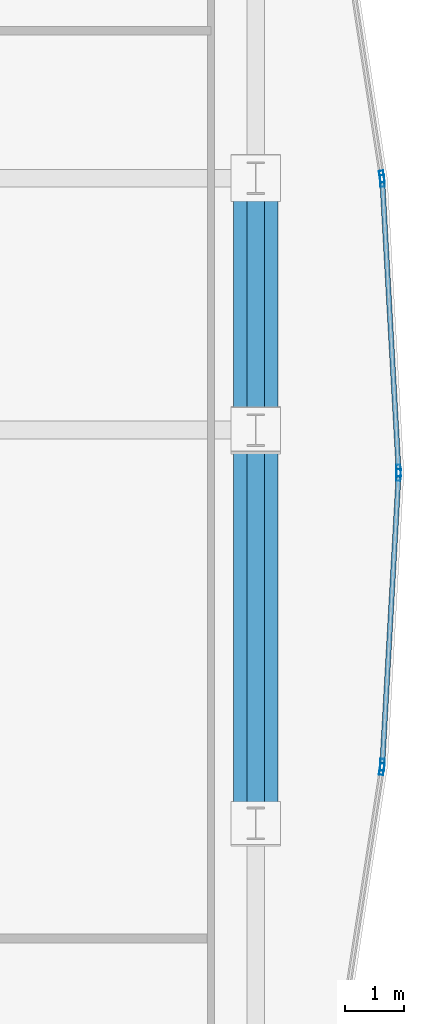
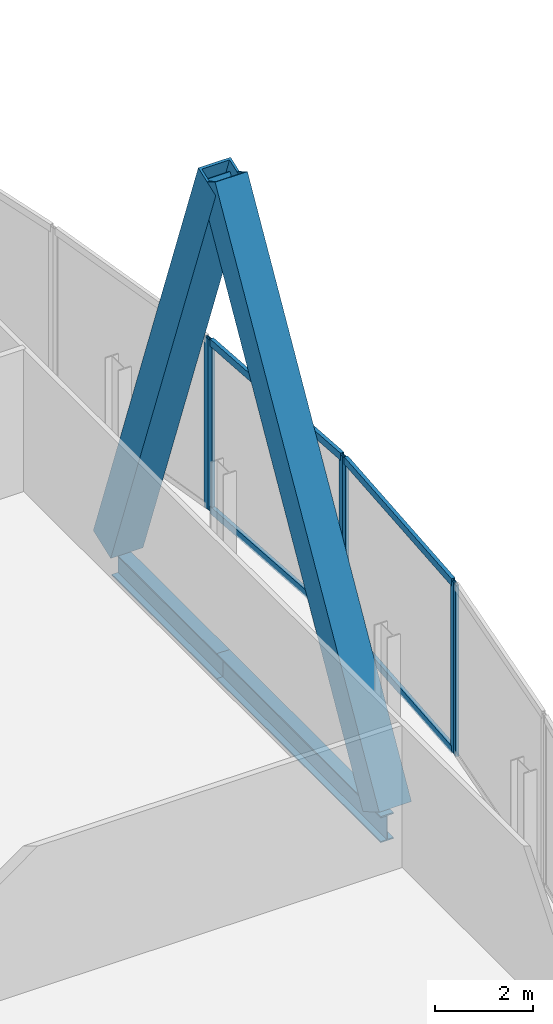
# One storey, part 23 of 32: 12 members, 2 beams, 4 elements without a shape of their own.
"""IFC4 building model written with IfcOpenShell, lengths in metres."""

from ifc_helpers import new_model, si_unit, direction, frame, origin, origin_2d, place, context, subcontext, project, spatial, hollow_rectangle, i_section, extrude, material, material_profile, profile_set, type_object, element, aggregate, save


model = new_model("IFC4")

# Units and contexts
model_context = context("Model", 3, precision=1e-05, world=origin(), true_north=direction((0.0, 1.0)))
body_context = subcontext(model_context, "Body", "Model", "MODEL_VIEW")
ifc_project = project(units=[si_unit("LENGTHUNIT", "METRE"), si_unit("AREAUNIT", "SQUARE_METRE"), si_unit("VOLUMEUNIT", "CUBIC_METRE"), si_unit("PLANEANGLEUNIT", "RADIAN"), si_unit("MASSUNIT", "GRAM", prefix="KILO")], contexts=[model_context])

# Site, building, storey
site_placement = place(None, origin())
site = spatial("IfcSite", under=ifc_project, at=site_placement, CompositionType="ELEMENT")
building_placement = place(site_placement, origin())
building = spatial("IfcBuilding", under=site, at=building_placement, Name="Khoronbel Lancet Exchange", CompositionType="ELEMENT")
storey_placement = place(building_placement, frame((0.0, 0.0, 106.60009765625)))
storey = spatial("IfcBuildingStorey", under=building, at=storey_placement, Name="L25", CompositionType="ELEMENT", Elevation=106.60009765625)

# Beams
ifc_material_1 = material(Name="Steel S355", Category="steel")
ifc_material_profile_1 = material_profile(ifc_material_1, i_section(OverallWidth=0.300048828125, OverallDepth=0.64990234375, WebThickness=0.01611328125, FlangeThickness=0.031005859375, at=origin_2d()), Name="HEB 650")
ifc_profile_set_1 = profile_set([ifc_material_profile_1], Name="Steel S355")
beam_type = type_object("IfcBeamType", Name="BM-BSP1", PredefinedType="SPANDREL", material=ifc_profile_set_1)
beam_1_placement = place(storey_placement, frame((69.6298828125, 24.75, -0.525146484375), z_axis=(0.0, 1.0, 0.0), x_axis=(-1.0, 0.0, 0.0)))
element("IfcBeam", 1, at=beam_1_placement, inside=storey, type_object=beam_type, Name="Level L25 perimeter spandrel beam SP12", PredefinedType="SPANDREL", context=body_context, shape_type="SweptSolid", body=[
    extrude(i_section(OverallWidth=0.300048828125, OverallDepth=0.64990234375, WebThickness=0.01611328125, FlangeThickness=0.031005859375, at=origin_2d()), origin(), (0.0, 0.0, 1.0), 6.675048828125),
])
beam_2_placement = place(storey_placement, frame((69.6298828125, 31.425048828125, -0.525146484375), z_axis=(0.0, 1.0, 0.0), x_axis=(-1.0, 0.0, 0.0)))
element("IfcBeam", 2, at=beam_2_placement, inside=storey, type_object=beam_type, Name="Level L25 perimeter spandrel beam SP13", PredefinedType="SPANDREL", context=body_context, shape_type="SweptSolid", body=[
    extrude(i_section(OverallWidth=0.300048828125, OverallDepth=0.64990234375, WebThickness=0.01611328125, FlangeThickness=0.031005859375, at=origin_2d()), origin(), (0.0, 0.0, 1.0), 4.27490234375),
])

# Curtain wall, member
ifc_material_2 = material(Name="Low-E Solar Control Insulating Glass", Category="glass")
curtain_wall_type = type_object("IfcCurtainWallType", Name="CW-4", PredefinedType="NOTDEFINED", material=ifc_material_2)
curtain_wall_1_placement = place(storey_placement, origin())
curtain_wall_1 = element("IfcCurtainWall", 3, at=curtain_wall_1_placement, inside=storey, type_object=curtain_wall_type, Name="Unitised curtain wall CW-L25-E18", PredefinedType="NOTDEFINED")
ifc_material_3 = material(Name="Bronze-Anodised Aluminium 6063-T6", Category="aluminium")
ifc_material_profile_2 = material_profile(ifc_material_3, hollow_rectangle(XDim=0.074951171875, YDim=0.199951171875, WallThickness=0.0048828125, at=origin_2d()), Name="ALU MULLION 75x200")
ifc_profile_set_2 = profile_set([ifc_material_profile_2], Name="Bronze-Anodised Aluminium 6063-T6")
member_type_1 = type_object("IfcMemberType", Name="MEM-CWM2", PredefinedType="MULLION", material=ifc_profile_set_2)
member_1_placement = place(storey_placement, frame((71.77001953125, 35.727783203125, 0.0), z_axis=(0.0, 0.0, 1.0), x_axis=(0.988428154064, 0.151689763181, 0.0)))
member_1 = element("IfcMember", 4, at=member_1_placement, type_object=member_type_1, Name="CW4 mullion 2", PredefinedType="MULLION", context=body_context, shape_type="SweptSolid", body=[
    extrude(hollow_rectangle(XDim=0.074951171875, YDim=0.199951171875, WallThickness=0.0048828125, at=origin_2d()), origin(), (0.0, 0.0, 1.0), 4.239990234375),
])
aggregate(curtain_wall_1, [member_1])

# Curtain wall, members
curtain_wall_2_placement = place(storey_placement, origin())
curtain_wall_2 = element("IfcCurtainWall", 5, at=curtain_wall_2_placement, inside=storey, type_object=curtain_wall_type, Name="Unitised curtain wall CW-L25-E19", PredefinedType="NOTDEFINED")
member_2_placement = place(storey_placement, frame((71.77783203125, 35.653076171875, 0.0), z_axis=(0.0, 0.0, 1.0), x_axis=(0.998426435144, 0.056077211104, 0.0)))
member_2 = element("IfcMember", 6, at=member_2_placement, type_object=member_type_1, Name="CW4 mullion 1", PredefinedType="MULLION", context=body_context, shape_type="SweptSolid", body=[
    extrude(hollow_rectangle(XDim=0.074951171875, YDim=0.199951171875, WallThickness=0.0048828125, at=origin_2d()), origin(), (0.0, 0.0, 1.0), 4.239990234375),
])
member_3_placement = place(storey_placement, frame((72.053955078125, 30.737548828125, 0.0), z_axis=(0.0, 0.0, 1.0), x_axis=(0.998426435144, 0.056077211104, 0.0)))
member_3 = element("IfcMember", 7, at=member_3_placement, type_object=member_type_1, Name="CW4 mullion 2", PredefinedType="MULLION", context=body_context, shape_type="SweptSolid", body=[
    extrude(hollow_rectangle(XDim=0.074951171875, YDim=0.199951171875, WallThickness=0.0048828125, at=origin_2d()), origin(), (0.0, 0.0, 1.0), 4.239990234375),
])

curtain_wall_3_placement = place(storey_placement, origin())
curtain_wall_3 = element("IfcCurtainWall", 8, at=curtain_wall_3_placement, inside=storey, type_object=curtain_wall_type, Name="Unitised curtain wall CW-L25-E20", PredefinedType="NOTDEFINED")
member_4_placement = place(storey_placement, frame((72.053955078125, 30.66259765625, 0.0), z_axis=(0.0, 0.0, 1.0), x_axis=(0.998426435144, -0.056077211104, 0.0)))
member_4 = element("IfcMember", 9, at=member_4_placement, type_object=member_type_1, Name="CW4 mullion 1", PredefinedType="MULLION", context=body_context, shape_type="SweptSolid", body=[
    extrude(hollow_rectangle(XDim=0.074951171875, YDim=0.199951171875, WallThickness=0.0048828125, at=origin_2d()), origin(), (0.0, 0.0, 1.0), 4.239990234375),
])
member_5_placement = place(storey_placement, frame((71.77783203125, 25.746826171875, 0.0), z_axis=(0.0, 0.0, 1.0), x_axis=(0.998426435144, -0.056077211104, 0.0)))
member_5 = element("IfcMember", 10, at=member_5_placement, type_object=member_type_1, Name="CW4 mullion 2", PredefinedType="MULLION", context=body_context, shape_type="SweptSolid", body=[
    extrude(hollow_rectangle(XDim=0.074951171875, YDim=0.199951171875, WallThickness=0.0048828125, at=origin_2d()), origin(), (0.0, 0.0, 1.0), 4.239990234375),
])

# Curtain wall, member
curtain_wall_4_placement = place(storey_placement, origin())
curtain_wall_4 = element("IfcCurtainWall", 11, at=curtain_wall_4_placement, inside=storey, type_object=curtain_wall_type, Name="Unitised curtain wall CW-L25-E21", PredefinedType="NOTDEFINED")
member_6_placement = place(storey_placement, frame((71.77001953125, 25.67236328125, 0.0), z_axis=(0.0, 0.0, 1.0), x_axis=(0.988428154064, -0.151689763181, 0.0)))
member_6 = element("IfcMember", 12, at=member_6_placement, type_object=member_type_1, Name="CW4 mullion 1", PredefinedType="MULLION", context=body_context, shape_type="SweptSolid", body=[
    extrude(hollow_rectangle(XDim=0.074951171875, YDim=0.199951171875, WallThickness=0.0048828125, at=origin_2d()), origin(), (0.0, 0.0, 1.0), 4.239990234375),
])
aggregate(curtain_wall_4, [member_6])

# Member
ifc_material_profile_3 = material_profile(ifc_material_3, hollow_rectangle(XDim=0.0849609375, YDim=0.179931640625, WallThickness=0.0048828125, at=origin_2d()), Name="ALU TRANSOM 85x180")
ifc_profile_set_3 = profile_set([ifc_material_profile_3], Name="Bronze-Anodised Aluminium 6063-T6")
member_type_2 = type_object("IfcMemberType", Name="MEM-CWT1", PredefinedType="USERDEFINED", material=ifc_profile_set_3)
member_7_placement = place(storey_placement, frame((71.780029296875, 35.61572265625, 0.04248046875), z_axis=(0.056094712203, -0.998425452031, 0.0), x_axis=(0.998425452031, 0.056094712203, 0.0)))
member_7 = element("IfcMember", 13, at=member_7_placement, type_object=member_type_2, Name="CW4 transom 1.1", ObjectType="TRANSOM", PredefinedType="USERDEFINED", context=body_context, shape_type="SweptSolid", body=[
    extrude(hollow_rectangle(XDim=0.0849609375, YDim=0.179931640625, WallThickness=0.0048828125, at=origin_2d()), origin(), (0.0, 0.0, 1.0), 4.848388671875),
])

member_8_placement = place(storey_placement, frame((71.780029296875, 35.61572265625, 4.197509765625), z_axis=(0.056094712203, -0.998425452031, 0.0), x_axis=(0.998425452031, 0.056094712203, 0.0)))
member_8 = element("IfcMember", 14, at=member_8_placement, type_object=member_type_2, Name="CW4 transom 1.2", ObjectType="TRANSOM", PredefinedType="USERDEFINED", context=body_context, shape_type="SweptSolid", body=[
    extrude(hollow_rectangle(XDim=0.0849609375, YDim=0.179931640625, WallThickness=0.0048828125, at=origin_2d()), origin(), (0.0, 0.0, 1.0), 4.848388671875),
])

aggregate(curtain_wall_2, [member_2, member_3, member_7, member_8])

member_9_placement = place(storey_placement, frame((72.052001953125, 30.625, 0.04248046875), z_axis=(-0.056094712203, -0.998425452031, 0.0), x_axis=(0.998425452031, -0.056094712203, 0.0)))
member_9 = element("IfcMember", 15, at=member_9_placement, type_object=member_type_2, Name="CW4 transom 1.1", ObjectType="TRANSOM", PredefinedType="USERDEFINED", context=body_context, shape_type="SweptSolid", body=[
    extrude(hollow_rectangle(XDim=0.0849609375, YDim=0.179931640625, WallThickness=0.0048828125, at=origin_2d()), origin(), (0.0, 0.0, 1.0), 4.848388671875),
])

member_10_placement = place(storey_placement, frame((72.052001953125, 30.625, 4.197509765625), z_axis=(-0.056094712203, -0.998425452031, 0.0), x_axis=(0.998425452031, -0.056094712203, 0.0)))
member_10 = element("IfcMember", 16, at=member_10_placement, type_object=member_type_2, Name="CW4 transom 1.2", ObjectType="TRANSOM", PredefinedType="USERDEFINED", context=body_context, shape_type="SweptSolid", body=[
    extrude(hollow_rectangle(XDim=0.0849609375, YDim=0.179931640625, WallThickness=0.0048828125, at=origin_2d()), origin(), (0.0, 0.0, 1.0), 4.848388671875),
])

aggregate(curtain_wall_3, [member_4, member_5, member_9, member_10])

# Members
ifc_material_4 = material(Name="Steel S460", Category="steel")
ifc_material_profile_4 = material_profile(ifc_material_4, hollow_rectangle(XDim=0.760009765625, YDim=0.760009765625, WallThickness=0.054931640625, at=origin_2d()), Name="BOX 760x760x55")
ifc_profile_set_4 = profile_set([ifc_material_profile_4], Name="Steel S460")
member_type_3 = type_object("IfcMemberType", Name="MEM-MB1", PredefinedType="BRACE", material=ifc_profile_set_4)
member_11_placement = place(storey_placement, frame((69.6298828125, 24.75, 0.0), z_axis=(0.0, 0.498759338511, 0.866740516099), x_axis=(-1.0, 0.0, 0.0)))
element("IfcMember", 17, at=member_11_placement, inside=storey, type_object=member_type_3, Name="Perimeter lancet brace tier 8 E-P-L", PredefinedType="BRACE", context=body_context, shape_type="SweptSolid", body=[
    extrude(hollow_rectangle(XDim=0.760009765625, YDim=0.760009765625, WallThickness=0.054931640625, at=origin_2d()), origin(), (0.0, 0.0, 1.0), 13.38330078125),
])
member_12_placement = place(storey_placement, frame((69.6298828125, 35.699951171875, 0.0), z_axis=(0.0, -0.345795959408, 0.938309732688), x_axis=(1.0, 0.0, 0.0)))
element("IfcMember", 18, at=member_12_placement, inside=storey, type_object=member_type_3, Name="Perimeter lancet brace tier 8 E-P-R", PredefinedType="BRACE", context=body_context, shape_type="SweptSolid", body=[
    extrude(hollow_rectangle(XDim=0.760009765625, YDim=0.760009765625, WallThickness=0.054931640625, at=origin_2d()), origin(), (0.0, 0.0, 1.0), 12.362548828125),
])

save(model, "model.ifc")
